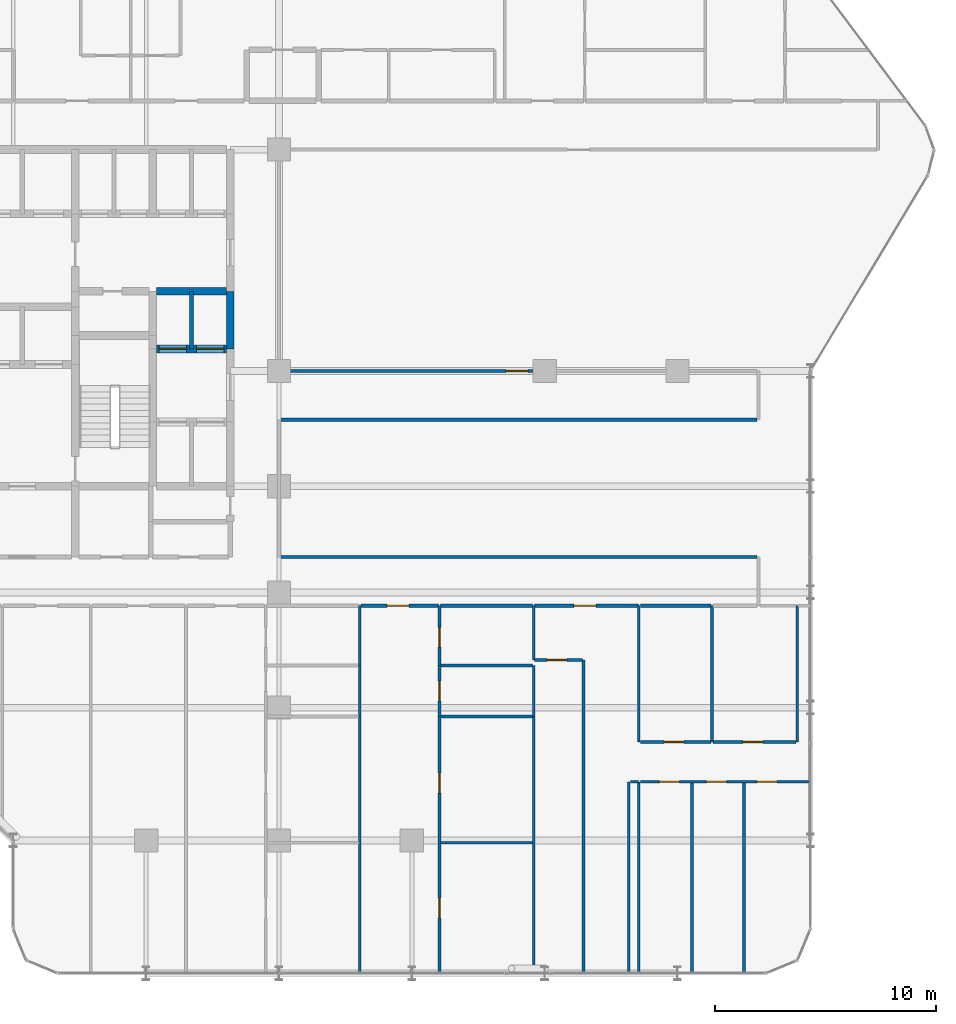
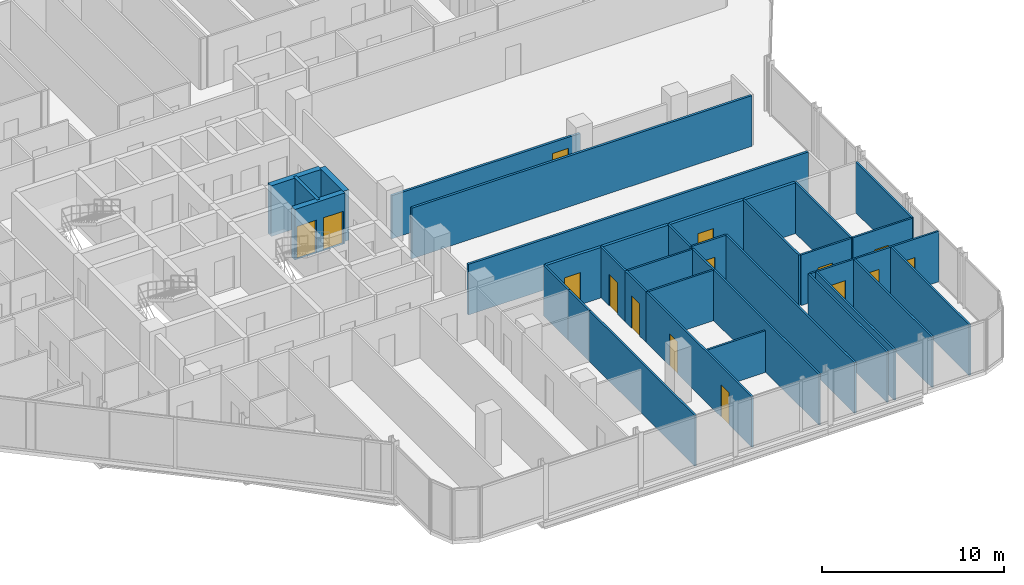
# One storey, part 26 of 30: 36 walls, 15 doors, 15 openings.
"""IFC4 building model written with IfcOpenShell, lengths in metres."""

from ifc_helpers import new_model, si_unit, direction, frame, frame_2d, origin, place, context, subcontext, project, spatial, rectangle, extrude, material, layer, layer_set, type_object, element, fill, save


model = new_model("IFC4")

# Units and contexts
model_context = context("Model", 3, precision=1e-05, world=origin(), true_north=direction((0.0, 1.0)))
body_context = subcontext(model_context, "Body", "Model", "MODEL_VIEW")
ifc_project = project(units=[si_unit("LENGTHUNIT", "METRE"), si_unit("AREAUNIT", "SQUARE_METRE"), si_unit("VOLUMEUNIT", "CUBIC_METRE"), si_unit("PLANEANGLEUNIT", "RADIAN"), si_unit("MASSUNIT", "GRAM", prefix="KILO")], contexts=[model_context])

# Site, building, storey
site_placement = place(None, origin())
site = spatial("IfcSite", under=ifc_project, at=site_placement, CompositionType="ELEMENT")
building_placement = place(site_placement, origin())
building = spatial("IfcBuilding", under=site, at=building_placement, Name="Keshet Zoharim Tower", CompositionType="ELEMENT")
storey_placement = place(building_placement, frame((0.0, 0.0, 113.10009765625)))
storey = spatial("IfcBuildingStorey", under=building, at=storey_placement, Name="L27", CompositionType="ELEMENT", Elevation=113.10009765625)

# Walls
ifc_material_1 = material(Name="Gypsum Plasterboard", Category="gypsum")
ifc_layer_1 = layer(ifc_material_1, 0.14990234375)
ifc_layer_set_1 = layer_set([ifc_layer_1], Name="Gypsum Plasterboard")
wall_type_1 = type_object("IfcWallType", Name="WL-CLIN-150", PredefinedType="STANDARD", material=ifc_layer_set_1)
for number, where, z_axis, x_axis, name in (
    (1, (33.070068359375, 19.5, 0.0), (0.0, 0.0, 1.0), (1.0, 0.0, 0.0), "L27 Interior Wall 147"),
    (2, (33.070068359375, 25.699951171875, 0.0), (0.0, 0.0, 1.0), (1.0, 0.0, 0.0), "L27 Interior Wall 159"),
):
    element("IfcWall", number, at=place(storey_placement, frame(where, z_axis=z_axis, x_axis=x_axis)), inside=storey, type_object=wall_type_1, Name=name, PredefinedType="STANDARD", context=body_context, shape_type="SweptSolid", body=[
        extrude(rectangle(XDim=21.510009765625, YDim=0.14990234375, at=frame_2d((10.7548828125, 0.0))), origin(), (0.0, 0.0, 1.0), 3.385009765625),
    ])

# Wall, opening, door
wall_1_placement = place(storey_placement, frame((33.070068359375, 27.89990234375, 0.0), z_axis=(0.0, 0.0, 1.0), x_axis=(1.0, 0.0, 0.0)))
wall_1 = element("IfcWall", 3, at=wall_1_placement, inside=storey, type_object=wall_type_1, Name="L27 Interior Wall 164", PredefinedType="STANDARD", context=body_context, shape_type="SweptSolid", body=[
    extrude(rectangle(XDim=11.929931640625, YDim=0.14990234375, at=frame_2d((5.96484375, 0.0))), origin(), (0.0, 0.0, 1.0), 2.885009765625),
])
opening_1_placement = place(wall_1_placement, frame((10.18505859375, 0.0, 0.0)))
opening_1 = element("IfcOpeningElement", 4, at=opening_1_placement, cuts=wall_1, Name="Opening D-F310", PredefinedType="OPENING", context=body_context, shape_type="SweptSolid", body=[
    extrude(rectangle(XDim=1.0, YDim=2.14990234375, at=frame_2d((0.5, 1.074951171875))), frame((0.0, 0.0849609375, 0.0), z_axis=(0.0, -1.0, 0.0), x_axis=(1.0, 0.0, 0.0)), (0.0, 0.0, 1.0), 0.169921875),
])
ifc_material_2 = material(Name="Hardwood Timber", Category="wood")
door_type_1 = type_object("IfcDoorType", Name="DR-FD30-100", OperationType="NOTDEFINED", PredefinedType="DOOR", material=ifc_material_2)
door_1_placement = place(opening_1_placement, origin())
door_1 = element("IfcDoor", 5, at=door_1_placement, inside=storey, type_object=door_type_1, Name="L27 North East Residents Services Suite Door 2", OperationType="SINGLE_SWING_LEFT", OverallHeight=2.14990234375, OverallWidth=1.0, PredefinedType="DOOR", context=body_context, shape_type="SweptSolid", body=[
    extrude(rectangle(XDim=1.0, YDim=2.14990234375, at=frame_2d((0.5, 1.074951171875))), frame((0.0, 0.02490234375, 0.0), z_axis=(0.0, -1.0, 0.0), x_axis=(1.0, 0.0, 0.0)), (0.0, 0.0, 1.0), 0.050048828125),
])
fill(opening_1, door_1)

# Wall
ifc_material_3 = material(Name="Concrete C60/75", Category="concrete")
ifc_layer_2 = layer(ifc_material_3, 0.35009765625)
ifc_layer_set_2 = layer_set([ifc_layer_2], Name="Concrete C60/75")
wall_type_2 = type_object("IfcWallType", Name="WL-CORE-350", PredefinedType="SHEAR", material=ifc_layer_set_2)
wall_2_placement = place(storey_placement, frame((30.800048828125, 28.89990234375, 0.0), z_axis=(0.0, 0.0, 1.0), x_axis=(0.0, 1.0, 0.0)))
element("IfcWall", 6, at=wall_2_placement, inside=storey, type_object=wall_type_2, Name="L27 Core Shear Wall 068", PredefinedType="SHEAR", context=body_context, shape_type="SweptSolid", body=[
    extrude(rectangle(XDim=2.60009765625, YDim=0.35009765625, at=frame_2d((1.300048828125, 0.0))), origin(), (0.0, 0.0, 1.0), 3.385009765625),
])

# Wall, openings, doors
wall_3_placement = place(storey_placement, frame((27.4599609375, 28.89990234375, 0.0), z_axis=(0.0, 0.0, 1.0), x_axis=(1.0, 0.0, 0.0)))
wall_3 = element("IfcWall", 7, at=wall_3_placement, inside=storey, type_object=wall_type_2, Name="L27 Core Shear Wall 166", PredefinedType="SHEAR", context=body_context, shape_type="SweptSolid", body=[
    extrude(rectangle(XDim=3.179931640625, YDim=0.35009765625, at=frame_2d((1.58984375, 0.0))), origin(), (0.0, 0.0, 1.0), 3.385009765625),
])
opening_2_placement = place(wall_3_placement, frame((0.1201171875, 0.0, 0.0)))
opening_2 = element("IfcOpeningElement", 8, at=opening_2_placement, cuts=wall_3, Name="Opening LD-01", PredefinedType="OPENING", context=body_context, shape_type="SweptSolid", body=[
    extrude(rectangle(XDim=1.25, YDim=2.199951171875, at=frame_2d((0.625, 1.10009765625))), frame((0.0, 0.18505859375, 0.0), z_axis=(0.0, -1.0, 0.0), x_axis=(1.0, 0.0, 0.0)), (0.0, 0.0, 1.0), 0.3701171875),
])
opening_3_placement = place(wall_3_placement, frame((1.81005859375, 0.0, 0.0)))
opening_3 = element("IfcOpeningElement", 9, at=opening_3_placement, cuts=wall_3, Name="Opening LD-01", PredefinedType="OPENING", context=body_context, shape_type="SweptSolid", body=[
    extrude(rectangle(XDim=1.25, YDim=2.199951171875, at=frame_2d((0.625, 1.10009765625))), frame((0.0, 0.18505859375, 0.0), z_axis=(0.0, -1.0, 0.0), x_axis=(1.0, 0.0, 0.0)), (0.0, 0.0, 1.0), 0.3701171875),
])
ifc_material_4 = material(Name="Steel S355", Category="steel")
door_type_2 = type_object("IfcDoorType", Name="DR-LD01-125", OperationType="DOUBLE_DOOR_SLIDING", PredefinedType="DOOR", material=ifc_material_4)
door_2_placement = place(opening_2_placement, origin())
door_2 = element("IfcDoor", 10, at=door_2_placement, inside=storey, type_object=door_type_2, Name="L27 Passenger Lift Landing Door LF-05", OperationType="DOUBLE_DOOR_SLIDING", OverallHeight=2.199951171875, OverallWidth=1.25, PredefinedType="DOOR", context=body_context, shape_type="SweptSolid", body=[
    extrude(rectangle(XDim=1.25, YDim=2.199951171875, at=frame_2d((0.625, 1.10009765625))), frame((0.0, 0.02490234375, 0.0), z_axis=(0.0, -1.0, 0.0), x_axis=(1.0, 0.0, 0.0)), (0.0, 0.0, 1.0), 0.050048828125),
])
fill(opening_2, door_2)
door_3_placement = place(opening_3_placement, origin())
door_3 = element("IfcDoor", 11, at=door_3_placement, inside=storey, type_object=door_type_2, Name="L27 Passenger Lift Landing Door LF-06", OperationType="DOUBLE_DOOR_SLIDING", OverallHeight=2.199951171875, OverallWidth=1.25, PredefinedType="DOOR", context=body_context, shape_type="SweptSolid", body=[
    extrude(rectangle(XDim=1.25, YDim=2.199951171875, at=frame_2d((0.625, 1.10009765625))), frame((0.0, 0.02490234375, 0.0), z_axis=(0.0, -1.0, 0.0), x_axis=(1.0, 0.0, 0.0)), (0.0, 0.0, 1.0), 0.050048828125),
])
fill(opening_3, door_3)

# Wall
wall_4_placement = place(storey_placement, frame((27.4599609375, 31.5, 0.0), z_axis=(0.0, 0.0, 1.0), x_axis=(1.0, 0.0, 0.0)))
element("IfcWall", 12, at=wall_4_placement, inside=storey, type_object=wall_type_2, Name="L27 Core Shear Wall 174", PredefinedType="SHEAR", context=body_context, shape_type="SweptSolid", body=[
    extrude(rectangle(XDim=3.179931640625, YDim=0.35009765625, at=frame_2d((1.58984375, 0.0))), origin(), (0.0, 0.0, 1.0), 3.385009765625),
])

# Wall, opening, door
ifc_layer_3 = layer(ifc_material_1, 0.179931640625)
ifc_layer_set_3 = layer_set([ifc_layer_3], Name="Gypsum Plasterboard")
wall_type_3 = type_object("IfcWallType", Name="WL-CORR-180", PredefinedType="STANDARD", material=ifc_layer_set_3)
wall_5_placement = place(storey_placement, frame((36.695068359375, 17.300048828125, 0.0), z_axis=(0.0, 0.0, 1.0), x_axis=(1.0, 0.0, 0.0)))
wall_5 = element("IfcWall", 13, at=wall_5_placement, inside=storey, type_object=wall_type_3, Name="L27 Interior Wall 136", PredefinedType="STANDARD", context=body_context, shape_type="SweptSolid", body=[
    extrude(rectangle(XDim=3.510009765625, YDim=0.179931640625, at=frame_2d((1.7548828125, 0.0))), origin(), (0.0, 0.0, 1.0), 3.385009765625),
])
opening_4_placement = place(wall_5_placement, frame((1.18505859375, 0.0, 0.0)))
opening_4 = element("IfcOpeningElement", 14, at=opening_4_placement, cuts=wall_5, Name="Opening D-F310", PredefinedType="OPENING", context=body_context, shape_type="SweptSolid", body=[
    extrude(rectangle(XDim=1.0, YDim=2.14990234375, at=frame_2d((0.5, 1.074951171875))), frame((0.0, 0.10009765625, 0.0), z_axis=(0.0, -1.0, 0.0), x_axis=(1.0, 0.0, 0.0)), (0.0, 0.0, 1.0), 0.199951171875),
])
door_4_placement = place(opening_4_placement, origin())
door_4 = element("IfcDoor", 15, at=door_4_placement, inside=storey, type_object=door_type_1, Name="Apartment 2703 Entrance Door", OperationType="SINGLE_SWING_RIGHT", OverallHeight=2.14990234375, OverallWidth=1.0, PredefinedType="DOOR", context=body_context, shape_type="SweptSolid", body=[
    extrude(rectangle(XDim=1.0, YDim=2.14990234375, at=frame_2d((0.5, 1.074951171875))), frame((0.0, 0.02490234375, 0.0), z_axis=(0.0, -1.0, 0.0), x_axis=(1.0, 0.0, 0.0)), (0.0, 0.0, 1.0), 0.050048828125),
])
fill(opening_4, door_4)

# Wall
wall_6_placement = place(storey_placement, frame((40.294921875, 17.300048828125, 0.0), z_axis=(0.0, 0.0, 1.0), x_axis=(1.0, 0.0, 0.0)))
element("IfcWall", 16, at=wall_6_placement, inside=storey, type_object=wall_type_3, Name="L27 Interior Wall 137", PredefinedType="STANDARD", context=body_context, shape_type="SweptSolid", body=[
    extrude(rectangle(XDim=4.16015625, YDim=0.179931640625, at=frame_2d((2.080078125, 0.0))), origin(), (0.0, 0.0, 1.0), 3.385009765625),
])

# Wall, opening, door
wall_7_placement = place(storey_placement, frame((44.544921875, 17.300048828125, 0.0), z_axis=(0.0, 0.0, 1.0), x_axis=(1.0, 0.0, 0.0)))
wall_7 = element("IfcWall", 17, at=wall_7_placement, inside=storey, type_object=wall_type_3, Name="L27 Interior Wall 138", PredefinedType="STANDARD", context=body_context, shape_type="SweptSolid", body=[
    extrude(rectangle(XDim=4.68017578125, YDim=0.179931640625, at=frame_2d((2.340087890625, 0.0))), origin(), (0.0, 0.0, 1.0), 3.385009765625),
])
opening_5_placement = place(wall_7_placement, frame((1.76904296875, 0.0, 0.0)))
opening_5 = element("IfcOpeningElement", 18, at=opening_5_placement, cuts=wall_7, Name="Opening D-F310", PredefinedType="OPENING", context=body_context, shape_type="SweptSolid", body=[
    extrude(rectangle(XDim=1.0, YDim=2.14990234375, at=frame_2d((0.5, 1.074951171875))), frame((0.0, 0.10009765625, 0.0), z_axis=(0.0, -1.0, 0.0), x_axis=(1.0, 0.0, 0.0)), (0.0, 0.0, 1.0), 0.199951171875),
])
door_5_placement = place(opening_5_placement, origin())
door_5 = element("IfcDoor", 19, at=door_5_placement, inside=storey, type_object=door_type_1, Name="Apartment 2704 Entrance Door", OperationType="SINGLE_SWING_LEFT", OverallHeight=2.14990234375, OverallWidth=1.0, PredefinedType="DOOR", context=body_context, shape_type="SweptSolid", body=[
    extrude(rectangle(XDim=1.0, YDim=2.14990234375, at=frame_2d((0.5, 1.074951171875))), frame((0.0, 0.02490234375, 0.0), z_axis=(0.0, -1.0, 0.0), x_axis=(1.0, 0.0, 0.0)), (0.0, 0.0, 1.0), 0.050048828125),
])
fill(opening_5, door_5)

# Walls
wall_8_placement = place(storey_placement, frame((49.31494140625, 17.300048828125, 0.0), z_axis=(0.0, 0.0, 1.0), x_axis=(1.0, 0.0, 0.0)))
element("IfcWall", 20, at=wall_8_placement, inside=storey, type_object=wall_type_3, Name="L27 Interior Wall 139", PredefinedType="STANDARD", context=body_context, shape_type="SweptSolid", body=[
    extrude(rectangle(XDim=3.18505859375, YDim=0.179931640625, at=frame_2d((1.592529296875, 0.0))), origin(), (0.0, 0.0, 1.0), 3.385009765625),
])
ifc_material_5 = material(Name="Concrete C50/60", Category="concrete")
ifc_layer_4 = layer(ifc_material_5, 0.199951171875)
ifc_layer_set_4 = layer_set([ifc_layer_4], Name="Concrete C50/60")
wall_type_4 = type_object("IfcWallType", Name="WL-FIRE-200", PredefinedType="STANDARD", material=ifc_layer_set_4)
wall_9_placement = place(storey_placement, frame((29.050048828125, 28.89990234375, 0.0), z_axis=(0.0, 0.0, 1.0), x_axis=(0.0, 1.0, 0.0)))
element("IfcWall", 21, at=wall_9_placement, inside=storey, type_object=wall_type_4, Name="L27 Interior Wall 062", PredefinedType="STANDARD", context=body_context, shape_type="SweptSolid", body=[
    extrude(rectangle(XDim=2.60009765625, YDim=0.199951171875, at=frame_2d((1.300048828125, 0.0))), origin(), (0.0, 0.0, 1.0), 3.385009765625),
])
ifc_layer_5 = layer(ifc_material_1, 0.1201171875)
ifc_layer_set_5 = layer_set([ifc_layer_5], Name="Gypsum Plasterboard")
wall_type_5 = type_object("IfcWallType", Name="WL-PART-120", PredefinedType="PARTITIONING", material=ifc_layer_set_5)
wall_10_placement = place(storey_placement, frame((36.64990234375, 0.7099609375, 0.0), z_axis=(0.0, 0.0, 1.0), x_axis=(0.0, 1.0, 0.0)))
element("IfcWall", 22, at=wall_10_placement, inside=storey, type_object=wall_type_5, Name="L27 Interior Wall 081", PredefinedType="PARTITIONING", context=body_context, shape_type="SweptSolid", body=[
    extrude(rectangle(XDim=11.590087890625, YDim=0.1201171875, at=frame_2d((5.794921875, 0.0))), origin(), (0.0, 0.0, 1.0), 3.385009765625),
])
wall_11_placement = place(storey_placement, frame((36.64990234375, 12.300048828125, 0.0), z_axis=(0.0, 0.0, 1.0), x_axis=(0.0, 1.0, 0.0)))
element("IfcWall", 23, at=wall_11_placement, inside=storey, type_object=wall_type_5, Name="L27 Interior Wall 082", PredefinedType="PARTITIONING", context=body_context, shape_type="SweptSolid", body=[
    extrude(rectangle(XDim=2.300048828125, YDim=0.1201171875, at=frame_2d((1.14990234375, 0.0))), origin(), (0.0, 0.0, 1.0), 3.385009765625),
])

# Wall, openings, doors
wall_12_placement = place(storey_placement, frame((40.25, 0.7099609375, 0.0), z_axis=(0.0, 0.0, 1.0), x_axis=(0.0, 1.0, 0.0)))
wall_12 = element("IfcWall", 24, at=wall_12_placement, inside=storey, type_object=wall_type_5, Name="L27 Interior Wall 087", PredefinedType="PARTITIONING", context=body_context, shape_type="SweptSolid", body=[
    extrude(rectangle(XDim=11.590087890625, YDim=0.1201171875, at=frame_2d((5.794921875, 0.0))), origin(), (0.0, 0.0, 1.0), 3.385009765625),
])
opening_6_placement = place(wall_12_placement, frame((2.489990234375, 0.0, 0.0)))
opening_6 = element("IfcOpeningElement", 25, at=opening_6_placement, cuts=wall_12, Name="Opening D-IN90", PredefinedType="OPENING", context=body_context, shape_type="SweptSolid", body=[
    extrude(rectangle(XDim=0.89990234375, YDim=2.14990234375, at=frame_2d((0.449951171875, 1.074951171875))), frame((0.0, 0.070068359375, 0.0), z_axis=(0.0, -1.0, 0.0), x_axis=(1.0, 0.0, 0.0)), (0.0, 0.0, 1.0), 0.14013671875),
])
opening_7_placement = place(wall_12_placement, frame((8.133056640625, 0.0, 0.0)))
opening_7 = element("IfcOpeningElement", 26, at=opening_7_placement, cuts=wall_12, Name="Opening D-IN90", PredefinedType="OPENING", context=body_context, shape_type="SweptSolid", body=[
    extrude(rectangle(XDim=0.89990234375, YDim=2.14990234375, at=frame_2d((0.449951171875, 1.074951171875))), frame((0.0, 0.070068359375, 0.0), z_axis=(0.0, -1.0, 0.0), x_axis=(1.0, 0.0, 0.0)), (0.0, 0.0, 1.0), 0.14013671875),
])
door_type_3 = type_object("IfcDoorType", Name="DR-INT-090", OperationType="NOTDEFINED", PredefinedType="DOOR", material=ifc_material_2)
door_6_placement = place(opening_6_placement, origin())
door_6 = element("IfcDoor", 27, at=door_6_placement, inside=storey, type_object=door_type_3, Name="Apartment 2703 Bedroom 1 Door", OperationType="SINGLE_SWING_RIGHT", OverallHeight=2.14990234375, OverallWidth=0.89990234375, PredefinedType="DOOR", context=body_context, shape_type="SweptSolid", body=[
    extrude(rectangle(XDim=0.89990234375, YDim=2.14990234375, at=frame_2d((0.449951171875, 1.074951171875))), frame((0.0, 0.02490234375, 0.0), z_axis=(0.0, -1.0, 0.0), x_axis=(1.0, 0.0, 0.0)), (0.0, 0.0, 1.0), 0.050048828125),
])
fill(opening_6, door_6)
door_7_placement = place(opening_7_placement, origin())
door_7 = element("IfcDoor", 28, at=door_7_placement, inside=storey, type_object=door_type_3, Name="Apartment 2703 Bedroom 2 Door", OperationType="SINGLE_SWING_LEFT", OverallHeight=2.14990234375, OverallWidth=0.89990234375, PredefinedType="DOOR", context=body_context, shape_type="SweptSolid", body=[
    extrude(rectangle(XDim=0.89990234375, YDim=2.14990234375, at=frame_2d((0.449951171875, 1.074951171875))), frame((0.0, 0.02490234375, 0.0), z_axis=(0.0, -1.0, 0.0), x_axis=(1.0, 0.0, 0.0)), (0.0, 0.0, 1.0), 0.050048828125),
])
fill(opening_7, door_7)

# Wall, opening, door
wall_13_placement = place(storey_placement, frame((40.25, 12.300048828125, 0.0), z_axis=(0.0, 0.0, 1.0), x_axis=(0.0, 1.0, 0.0)))
wall_13 = element("IfcWall", 29, at=wall_13_placement, inside=storey, type_object=wall_type_5, Name="L27 Interior Wall 088", PredefinedType="PARTITIONING", context=body_context, shape_type="SweptSolid", body=[
    extrude(rectangle(XDim=2.300048828125, YDim=0.1201171875, at=frame_2d((1.14990234375, 0.0))), origin(), (0.0, 0.0, 1.0), 3.385009765625),
])
opening_8_placement = place(wall_13_placement, frame((0.699951171875, 0.0, 0.0)))
opening_8 = element("IfcOpeningElement", 30, at=opening_8_placement, cuts=wall_13, Name="Opening D-IN90", PredefinedType="OPENING", context=body_context, shape_type="SweptSolid", body=[
    extrude(rectangle(XDim=0.89990234375, YDim=2.14990234375, at=frame_2d((0.449951171875, 1.074951171875))), frame((0.0, 0.070068359375, 0.0), z_axis=(0.0, -1.0, 0.0), x_axis=(1.0, 0.0, 0.0)), (0.0, 0.0, 1.0), 0.14013671875),
])
door_8_placement = place(opening_8_placement, origin())
door_8 = element("IfcDoor", 31, at=door_8_placement, inside=storey, type_object=door_type_3, Name="Apartment 2703 Kitchen Door", OperationType="SINGLE_SWING_RIGHT", OverallHeight=2.14990234375, OverallWidth=0.89990234375, PredefinedType="DOOR", context=body_context, shape_type="SweptSolid", body=[
    extrude(rectangle(XDim=0.89990234375, YDim=2.14990234375, at=frame_2d((0.449951171875, 1.074951171875))), frame((0.0, 0.02490234375, 0.0), z_axis=(0.0, -1.0, 0.0), x_axis=(1.0, 0.0, 0.0)), (0.0, 0.0, 1.0), 0.050048828125),
])
fill(opening_8, door_8)

# Walls
wall_14_placement = place(storey_placement, frame((44.5, 0.7099609375, 0.0), z_axis=(0.0, 0.0, 1.0), x_axis=(0.0, 1.0, 0.0)))
element("IfcWall", 32, at=wall_14_placement, inside=storey, type_object=wall_type_5, Name="L27 Interior Wall 093", PredefinedType="PARTITIONING", context=body_context, shape_type="SweptSolid", body=[
    extrude(rectangle(XDim=11.590087890625, YDim=0.1201171875, at=frame_2d((5.794921875, 0.0))), origin(), (0.0, 0.0, 1.0), 3.385009765625),
])
wall_15_placement = place(storey_placement, frame((44.5, 12.300048828125, 0.0), z_axis=(0.0, 0.0, 1.0), x_axis=(0.0, 1.0, 0.0)))
element("IfcWall", 33, at=wall_15_placement, inside=storey, type_object=wall_type_5, Name="L27 Interior Wall 094", PredefinedType="PARTITIONING", context=body_context, shape_type="SweptSolid", body=[
    extrude(rectangle(XDim=2.300048828125, YDim=0.1201171875, at=frame_2d((1.14990234375, 0.0))), origin(), (0.0, 0.0, 1.0), 3.385009765625),
])
wall_16_placement = place(storey_placement, frame((46.75, 0.7099609375, 0.0), z_axis=(0.0, 0.0, 1.0), x_axis=(0.0, 1.0, 0.0)))
element("IfcWall", 34, at=wall_16_placement, inside=storey, type_object=wall_type_5, Name="L27 Interior Wall 096", PredefinedType="PARTITIONING", context=body_context, shape_type="SweptSolid", body=[
    extrude(rectangle(XDim=14.14013671875, YDim=0.1201171875, at=frame_2d((7.070068359375, 0.0))), origin(), (0.0, 0.0, 1.0), 3.385009765625),
])
for number, where, z_axis, x_axis, name in (
    (35, (48.800048828125, 0.7099609375, 0.0), (0.0, 0.0, 1.0), (0.0, 1.0, 0.0), "L27 Interior Wall 100"),
    (36, (49.25, 0.7099609375, 0.0), (0.0, 0.0, 1.0), (0.0, 1.0, 0.0), "L27 Interior Wall 101"),
):
    element("IfcWall", number, at=place(storey_placement, frame(where, z_axis=z_axis, x_axis=x_axis)), inside=storey, type_object=wall_type_5, Name=name, PredefinedType="PARTITIONING", context=body_context, shape_type="SweptSolid", body=[
        extrude(rectangle(XDim=8.64013671875, YDim=0.1201171875, at=frame_2d((4.320068359375, 0.0))), origin(), (0.0, 0.0, 1.0), 3.385009765625),
    ])
wall_17_placement = place(storey_placement, frame((49.25, 11.14990234375, 0.0), z_axis=(0.0, 0.0, 1.0), x_axis=(0.0, 1.0, 0.0)))
element("IfcWall", 37, at=wall_17_placement, inside=storey, type_object=wall_type_5, Name="L27 Interior Wall 102", PredefinedType="PARTITIONING", context=body_context, shape_type="SweptSolid", body=[
    extrude(rectangle(XDim=6.150146484375, YDim=0.1201171875, at=frame_2d((3.0751953125, 0.0))), origin(), (0.0, 0.0, 1.0), 3.385009765625),
])
for number, where, z_axis, x_axis, name in (
    (38, (51.64990234375, 0.7099609375, 0.0), (0.0, 0.0, 1.0), (0.0, 1.0, 0.0), "L27 Interior Wall 103"),
    (39, (54.0, 0.7099609375, 0.0), (0.0, 0.0, 1.0), (0.0, 1.0, 0.0), "L27 Interior Wall 108"),
):
    element("IfcWall", number, at=place(storey_placement, frame(where, z_axis=z_axis, x_axis=x_axis)), inside=storey, type_object=wall_type_5, Name=name, PredefinedType="PARTITIONING", context=body_context, shape_type="SweptSolid", body=[
        extrude(rectangle(XDim=8.64013671875, YDim=0.1201171875, at=frame_2d((4.320068359375, 0.0))), origin(), (0.0, 0.0, 1.0), 3.385009765625),
    ])
wall_18_placement = place(storey_placement, frame((40.294921875, 6.60009765625, 0.0), z_axis=(0.0, 0.0, 1.0), x_axis=(1.0, 0.0, 0.0)))
element("IfcWall", 40, at=wall_18_placement, inside=storey, type_object=wall_type_5, Name="L27 Interior Wall 116", PredefinedType="PARTITIONING", context=body_context, shape_type="SweptSolid", body=[
    extrude(rectangle(XDim=4.16015625, YDim=0.1201171875, at=frame_2d((2.080078125, 0.0))), origin(), (0.0, 0.0, 1.0), 2.784912109375),
])
wall_19_placement = place(storey_placement, frame((48.864990234375, 9.35009765625, 0.0), z_axis=(0.0, 0.0, 1.0), x_axis=(1.0, 0.0, 0.0)))
element("IfcWall", 41, at=wall_19_placement, inside=storey, type_object=wall_type_5, Name="L27 Interior Wall 117", PredefinedType="PARTITIONING", context=body_context, shape_type="SweptSolid", body=[
    extrude(rectangle(XDim=0.360107421875, YDim=0.1201171875, at=frame_2d((0.18017578125, 0.0))), origin(), (0.0, 0.0, 1.0), 3.385009765625),
])

# Wall, openings, doors
wall_20_placement = place(storey_placement, frame((49.31494140625, 9.35009765625, 0.0), z_axis=(0.0, 0.0, 1.0), x_axis=(1.0, 0.0, 0.0)))
wall_20 = element("IfcWall", 42, at=wall_20_placement, inside=storey, type_object=wall_type_5, Name="L27 Interior Wall 118", PredefinedType="PARTITIONING", context=body_context, shape_type="SweptSolid", body=[
    extrude(rectangle(XDim=7.675048828125, YDim=0.1201171875, at=frame_2d((3.83740234375, 0.0))), origin(), (0.0, 0.0, 1.0), 3.385009765625),
])
opening_9_placement = place(wall_20_placement, frame((0.866943359375, 0.0, 0.0)))
opening_9 = element("IfcOpeningElement", 43, at=opening_9_placement, cuts=wall_20, Name="Opening D-IN90", PredefinedType="OPENING", context=body_context, shape_type="SweptSolid", body=[
    extrude(rectangle(XDim=0.89990234375, YDim=2.14990234375, at=frame_2d((0.449951171875, 1.074951171875))), frame((0.0, 0.070068359375, 0.0), z_axis=(0.0, -1.0, 0.0), x_axis=(1.0, 0.0, 0.0)), (0.0, 0.0, 1.0), 0.14013671875),
])
opening_10_placement = place(wall_20_placement, frame((2.993896484375, 0.0, 0.0)))
opening_10 = element("IfcOpeningElement", 44, at=opening_10_placement, cuts=wall_20, Name="Opening D-IN90", PredefinedType="OPENING", context=body_context, shape_type="SweptSolid", body=[
    extrude(rectangle(XDim=0.89990234375, YDim=2.14990234375, at=frame_2d((0.449951171875, 1.074951171875))), frame((0.0, 0.070068359375, 0.0), z_axis=(0.0, -1.0, 0.0), x_axis=(1.0, 0.0, 0.0)), (0.0, 0.0, 1.0), 0.14013671875),
])
opening_11_placement = place(wall_20_placement, frame((5.263916015625, 0.0, 0.0)))
opening_11 = element("IfcOpeningElement", 45, at=opening_11_placement, cuts=wall_20, Name="Opening D-IN90", PredefinedType="OPENING", context=body_context, shape_type="SweptSolid", body=[
    extrude(rectangle(XDim=0.89990234375, YDim=2.14990234375, at=frame_2d((0.449951171875, 1.074951171875))), frame((0.0, 0.070068359375, 0.0), z_axis=(0.0, -1.0, 0.0), x_axis=(1.0, 0.0, 0.0)), (0.0, 0.0, 1.0), 0.14013671875),
])
door_9_placement = place(opening_9_placement, origin())
door_9 = element("IfcDoor", 46, at=door_9_placement, inside=storey, type_object=door_type_3, Name="Apartment 2704 Bedroom 1 Door", OperationType="SINGLE_SWING_RIGHT", OverallHeight=2.14990234375, OverallWidth=0.89990234375, PredefinedType="DOOR", context=body_context, shape_type="SweptSolid", body=[
    extrude(rectangle(XDim=0.89990234375, YDim=2.14990234375, at=frame_2d((0.449951171875, 1.074951171875))), frame((0.0, 0.02490234375, 0.0), z_axis=(0.0, -1.0, 0.0), x_axis=(1.0, 0.0, 0.0)), (0.0, 0.0, 1.0), 0.050048828125),
])
fill(opening_9, door_9)
door_10_placement = place(opening_10_placement, origin())
door_10 = element("IfcDoor", 47, at=door_10_placement, inside=storey, type_object=door_type_3, Name="Apartment 2704 Bedroom 2 Door", OperationType="SINGLE_SWING_LEFT", OverallHeight=2.14990234375, OverallWidth=0.89990234375, PredefinedType="DOOR", context=body_context, shape_type="SweptSolid", body=[
    extrude(rectangle(XDim=0.89990234375, YDim=2.14990234375, at=frame_2d((0.449951171875, 1.074951171875))), frame((0.0, 0.02490234375, 0.0), z_axis=(0.0, -1.0, 0.0), x_axis=(1.0, 0.0, 0.0)), (0.0, 0.0, 1.0), 0.050048828125),
])
fill(opening_10, door_10)
door_11_placement = place(opening_11_placement, origin())
door_11 = element("IfcDoor", 48, at=door_11_placement, inside=storey, type_object=door_type_3, Name="Apartment 2704 Bedroom 3 Door", OperationType="SINGLE_SWING_RIGHT", OverallHeight=2.14990234375, OverallWidth=0.89990234375, PredefinedType="DOOR", context=body_context, shape_type="SweptSolid", body=[
    extrude(rectangle(XDim=0.89990234375, YDim=2.14990234375, at=frame_2d((0.449951171875, 1.074951171875))), frame((0.0, 0.02490234375, 0.0), z_axis=(0.0, -1.0, 0.0), x_axis=(1.0, 0.0, 0.0)), (0.0, 0.0, 1.0), 0.050048828125),
])
fill(opening_11, door_11)

# Wall, opening, door
wall_21_placement = place(storey_placement, frame((49.31494140625, 11.14990234375, 0.0), z_axis=(0.0, 0.0, 1.0), x_axis=(1.0, 0.0, 0.0)))
wall_21 = element("IfcWall", 49, at=wall_21_placement, inside=storey, type_object=wall_type_5, Name="L27 Interior Wall 119", PredefinedType="PARTITIONING", context=body_context, shape_type="SweptSolid", body=[
    extrude(rectangle(XDim=3.18505859375, YDim=0.1201171875, at=frame_2d((1.592529296875, 0.0))), origin(), (0.0, 0.0, 1.0), 3.385009765625),
])
opening_12_placement = place(wall_21_placement, frame((1.071044921875, 0.0, 0.0)))
opening_12 = element("IfcOpeningElement", 50, at=opening_12_placement, cuts=wall_21, Name="Opening D-IN90", PredefinedType="OPENING", context=body_context, shape_type="SweptSolid", body=[
    extrude(rectangle(XDim=0.89990234375, YDim=2.14990234375, at=frame_2d((0.449951171875, 1.074951171875))), frame((0.0, 0.070068359375, 0.0), z_axis=(0.0, -1.0, 0.0), x_axis=(1.0, 0.0, 0.0)), (0.0, 0.0, 1.0), 0.14013671875),
])
door_12_placement = place(opening_12_placement, origin())
door_12 = element("IfcDoor", 51, at=door_12_placement, inside=storey, type_object=door_type_3, Name="Apartment 2704 Kitchen Door", OperationType="SINGLE_SWING_LEFT", OverallHeight=2.14990234375, OverallWidth=0.89990234375, PredefinedType="DOOR", context=body_context, shape_type="SweptSolid", body=[
    extrude(rectangle(XDim=0.89990234375, YDim=2.14990234375, at=frame_2d((0.449951171875, 1.074951171875))), frame((0.0, 0.02490234375, 0.0), z_axis=(0.0, -1.0, 0.0), x_axis=(1.0, 0.0, 0.0)), (0.0, 0.0, 1.0), 0.050048828125),
])
fill(opening_12, door_12)

# Wall
wall_22_placement = place(storey_placement, frame((40.294921875, 12.300048828125, 0.0), z_axis=(0.0, 0.0, 1.0), x_axis=(1.0, 0.0, 0.0)))
element("IfcWall", 52, at=wall_22_placement, inside=storey, type_object=wall_type_5, Name="L27 Interior Wall 123", PredefinedType="PARTITIONING", context=body_context, shape_type="SweptSolid", body=[
    extrude(rectangle(XDim=4.16015625, YDim=0.1201171875, at=frame_2d((2.080078125, 0.0))), origin(), (0.0, 0.0, 1.0), 3.385009765625),
])

# Wall, opening, door
wall_23_placement = place(storey_placement, frame((44.544921875, 14.85009765625, 0.0), z_axis=(0.0, 0.0, 1.0), x_axis=(1.0, 0.0, 0.0)))
wall_23 = element("IfcWall", 53, at=wall_23_placement, inside=storey, type_object=wall_type_5, Name="L27 Interior Wall 127", PredefinedType="PARTITIONING", context=body_context, shape_type="SweptSolid", body=[
    extrude(rectangle(XDim=2.16015625, YDim=0.1201171875, at=frame_2d((1.080078125, 0.0))), origin(), (0.0, 0.0, 1.0), 3.385009765625),
])
opening_13_placement = place(wall_23_placement, frame((0.552978515625, 0.0, 0.0)))
opening_13 = element("IfcOpeningElement", 54, at=opening_13_placement, cuts=wall_23, Name="Opening D-IN90", PredefinedType="OPENING", context=body_context, shape_type="SweptSolid", body=[
    extrude(rectangle(XDim=0.89990234375, YDim=2.14990234375, at=frame_2d((0.449951171875, 1.074951171875))), frame((0.0, 0.070068359375, 0.0), z_axis=(0.0, -1.0, 0.0), x_axis=(1.0, 0.0, 0.0)), (0.0, 0.0, 1.0), 0.14013671875),
])
door_13_placement = place(opening_13_placement, origin())
door_13 = element("IfcDoor", 55, at=door_13_placement, inside=storey, type_object=door_type_3, Name="Apartment 2704 Formal Dining Room Door", OperationType="SINGLE_SWING_LEFT", OverallHeight=2.14990234375, OverallWidth=0.89990234375, PredefinedType="DOOR", context=body_context, shape_type="SweptSolid", body=[
    extrude(rectangle(XDim=0.89990234375, YDim=2.14990234375, at=frame_2d((0.449951171875, 1.074951171875))), frame((0.0, 0.02490234375, 0.0), z_axis=(0.0, -1.0, 0.0), x_axis=(1.0, 0.0, 0.0)), (0.0, 0.0, 1.0), 0.050048828125),
])
fill(opening_13, door_13)

# Wall
ifc_layer_6 = layer(ifc_material_1, 0.1201171875)
ifc_layer_set_6 = layer_set([ifc_layer_6], Name="Gypsum Plasterboard")
wall_type_6 = type_object("IfcWallType", Name="WL-WET-120", PredefinedType="PARTITIONING", material=ifc_layer_set_6)
wall_24_placement = place(storey_placement, frame((36.64990234375, 14.60009765625, 0.0), z_axis=(0.0, 0.0, 1.0), x_axis=(0.0, 1.0, 0.0)))
element("IfcWall", 56, at=wall_24_placement, inside=storey, type_object=wall_type_6, Name="L27 Interior Wall 083", PredefinedType="PARTITIONING", context=body_context, shape_type="SweptSolid", body=[
    extrude(rectangle(XDim=2.699951171875, YDim=0.1201171875, at=frame_2d((1.35009765625, 0.0))), origin(), (0.0, 0.0, 1.0), 3.385009765625),
])

# Wall, opening, door
wall_25_placement = place(storey_placement, frame((40.25, 14.60009765625, 0.0), z_axis=(0.0, 0.0, 1.0), x_axis=(0.0, 1.0, 0.0)))
wall_25 = element("IfcWall", 57, at=wall_25_placement, inside=storey, type_object=wall_type_6, Name="L27 Interior Wall 089", PredefinedType="PARTITIONING", context=body_context, shape_type="SweptSolid", body=[
    extrude(rectangle(XDim=2.699951171875, YDim=0.1201171875, at=frame_2d((1.35009765625, 0.0))), origin(), (0.0, 0.0, 1.0), 3.385009765625),
])
opening_14_placement = place(wall_25_placement, frame((0.827880859375, 0.0, 0.0)))
opening_14 = element("IfcOpeningElement", 58, at=opening_14_placement, cuts=wall_25, Name="Opening D-WT90", PredefinedType="OPENING", context=body_context, shape_type="SweptSolid", body=[
    extrude(rectangle(XDim=0.89990234375, YDim=2.10009765625, at=frame_2d((0.449951171875, 1.050048828125))), frame((0.0, 0.070068359375, 0.0), z_axis=(0.0, -1.0, 0.0), x_axis=(1.0, 0.0, 0.0)), (0.0, 0.0, 1.0), 0.14013671875),
])
door_type_4 = type_object("IfcDoorType", Name="DR-WET-090", OperationType="NOTDEFINED", PredefinedType="DOOR", material=ifc_material_2)
door_14_placement = place(opening_14_placement, origin())
door_14 = element("IfcDoor", 59, at=door_14_placement, inside=storey, type_object=door_type_4, Name="Apartment 2703 Bathroom Door", OperationType="SINGLE_SWING_LEFT", OverallHeight=2.10009765625, OverallWidth=0.89990234375, PredefinedType="DOOR", context=body_context, shape_type="SweptSolid", body=[
    extrude(rectangle(XDim=0.89990234375, YDim=2.10009765625, at=frame_2d((0.449951171875, 1.050048828125))), frame((0.0, 0.02490234375, 0.0), z_axis=(0.0, -1.0, 0.0), x_axis=(1.0, 0.0, 0.0)), (0.0, 0.0, 1.0), 0.050048828125),
])
fill(opening_14, door_14)

# Walls
wall_26_placement = place(storey_placement, frame((44.5, 14.85009765625, 0.0), z_axis=(0.0, 0.0, 1.0), x_axis=(0.0, 1.0, 0.0)))
element("IfcWall", 60, at=wall_26_placement, inside=storey, type_object=wall_type_6, Name="L27 Interior Wall 095", PredefinedType="PARTITIONING", context=body_context, shape_type="SweptSolid", body=[
    extrude(rectangle(XDim=2.449951171875, YDim=0.1201171875, at=frame_2d((1.22509765625, 0.0))), origin(), (0.0, 0.0, 1.0), 3.385009765625),
])
for number, where, z_axis, x_axis, name in (
    (61, (52.550048828125, 11.14990234375, 0.0), (0.0, 0.0, 1.0), (0.0, 1.0, 0.0), "L27 Interior Wall 107"),
    (62, (56.39990234375, 11.14990234375, 0.0), (0.0, 0.0, 1.0), (0.0, 1.0, 0.0), "L27 Interior Wall 113"),
):
    element("IfcWall", number, at=place(storey_placement, frame(where, z_axis=z_axis, x_axis=x_axis)), inside=storey, type_object=wall_type_6, Name=name, PredefinedType="PARTITIONING", context=body_context, shape_type="SweptSolid", body=[
        extrude(rectangle(XDim=6.150146484375, YDim=0.1201171875, at=frame_2d((3.0751953125, 0.0))), origin(), (0.0, 0.0, 1.0), 3.385009765625),
    ])

# Wall, opening, door
wall_27_placement = place(storey_placement, frame((52.590087890625, 11.14990234375, 0.0), z_axis=(0.0, 0.0, 1.0), x_axis=(1.0, 0.0, 0.0)))
wall_27 = element("IfcWall", 63, at=wall_27_placement, inside=storey, type_object=wall_type_6, Name="L27 Interior Wall 120", PredefinedType="PARTITIONING", context=body_context, shape_type="SweptSolid", body=[
    extrude(rectangle(XDim=3.7548828125, YDim=0.1201171875, at=frame_2d((1.87744140625, 0.0))), origin(), (0.0, 0.0, 1.0), 3.385009765625),
])
opening_15_placement = place(wall_27_placement, frame((1.35595703125, 0.0, 0.0)))
opening_15 = element("IfcOpeningElement", 64, at=opening_15_placement, cuts=wall_27, Name="Opening D-WT90", PredefinedType="OPENING", context=body_context, shape_type="SweptSolid", body=[
    extrude(rectangle(XDim=0.89990234375, YDim=2.10009765625, at=frame_2d((0.449951171875, 1.050048828125))), frame((0.0, 0.070068359375, 0.0), z_axis=(0.0, -1.0, 0.0), x_axis=(1.0, 0.0, 0.0)), (0.0, 0.0, 1.0), 0.14013671875),
])
door_15_placement = place(opening_15_placement, origin())
door_15 = element("IfcDoor", 65, at=door_15_placement, inside=storey, type_object=door_type_4, Name="Apartment 2704 Bathroom Door", OperationType="SINGLE_SWING_RIGHT", OverallHeight=2.10009765625, OverallWidth=0.89990234375, PredefinedType="DOOR", context=body_context, shape_type="SweptSolid", body=[
    extrude(rectangle(XDim=0.89990234375, YDim=2.10009765625, at=frame_2d((0.449951171875, 1.050048828125))), frame((0.0, 0.02490234375, 0.0), z_axis=(0.0, -1.0, 0.0), x_axis=(1.0, 0.0, 0.0)), (0.0, 0.0, 1.0), 0.050048828125),
])
fill(opening_15, door_15)

# Wall
wall_28_placement = place(storey_placement, frame((40.294921875, 14.60009765625, 0.0), z_axis=(0.0, 0.0, 1.0), x_axis=(1.0, 0.0, 0.0)))
element("IfcWall", 66, at=wall_28_placement, inside=storey, type_object=wall_type_6, Name="L27 Interior Wall 126", PredefinedType="PARTITIONING", context=body_context, shape_type="SweptSolid", body=[
    extrude(rectangle(XDim=4.16015625, YDim=0.1201171875, at=frame_2d((2.080078125, 0.0))), origin(), (0.0, 0.0, 1.0), 3.385009765625),
])

save(model, "model.ifc")
